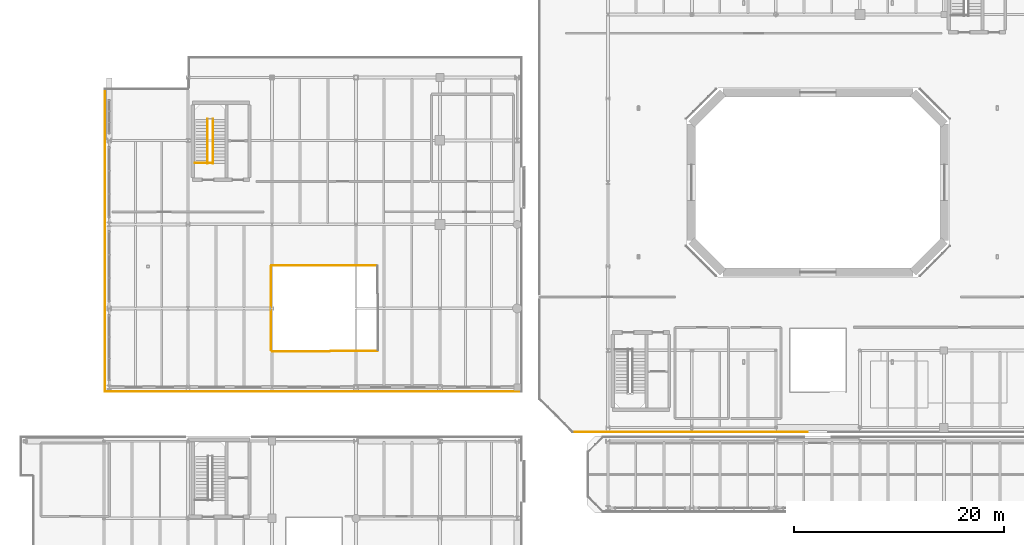
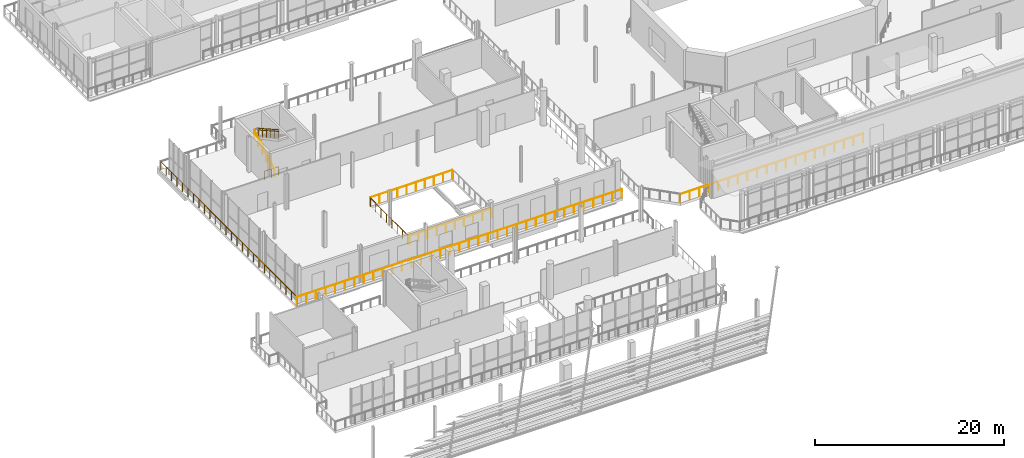
# One storey, part 81 of 93: 11 railings.
"""IFC4 building model written with IfcOpenShell, lengths in metres."""

from ifc_helpers import new_model, si_unit, direction, frame, origin, origin_2d, place, context, subcontext, project, spatial, circle, extrude, material, type_object, element, save


model = new_model("IFC4")

# Units and contexts
model_context = context("Model", 3, precision=1e-05, world=origin(), true_north=direction((0.0, 1.0)))
body_context = subcontext(model_context, "Body", "Model", "MODEL_VIEW")
ifc_project = project(units=[si_unit("LENGTHUNIT", "METRE"), si_unit("AREAUNIT", "SQUARE_METRE"), si_unit("VOLUMEUNIT", "CUBIC_METRE"), si_unit("PLANEANGLEUNIT", "RADIAN"), si_unit("MASSUNIT", "GRAM", prefix="KILO")], contexts=[model_context])

# Site, building, storey
site_placement = place(None, origin())
site = spatial("IfcSite", under=ifc_project, at=site_placement, CompositionType="ELEMENT")
building_placement = place(site_placement, origin())
building = spatial("IfcBuilding", under=site, at=building_placement, Name="Brisemont Oceanarium", CompositionType="ELEMENT")
storey_placement = place(building_placement, frame((0.0, 0.0, 5.39990234375)))
storey = spatial("IfcBuildingStorey", under=building, at=storey_placement, Name="L01", CompositionType="ELEMENT", Elevation=5.39990234375)

# Railings
ifc_material_1 = material(Name="Beaux-Arts Limestone Balustrade Precast Concrete C40/50", Category="masonry")
railing_type_1 = type_object("IfcRailingType", Name="RLG-BAL-1140", PredefinedType="BALUSTRADE", material=ifc_material_1)
railing_1_placement = place(storey_placement, frame((41.97998046875, 48.090087890625, 0.0)))
element("IfcRailing", 1, at=railing_1_placement, inside=storey, type_object=railing_type_1, Name="L01 slab perimeter safety guard 100", PredefinedType="BALUSTRADE", context=body_context, shape_type="SweptSolid", body=[
    extrude(circle(Radius=0.02392578125, at=origin_2d()), frame((0.0, 0.0, 1.11572265625), z_axis=(-0.999997490791, -0.002240181386, 0.0), x_axis=(0.002240181386, -0.999997490791, 0.0)), (0.0, 0.0, 1.0), 10.0263671875),
    extrude(circle(Radius=0.02099609375, at=origin_2d()), origin(), (0.0, 0.0, 1.0), 1.091796875),
    extrude(circle(Radius=0.02099609375, at=origin_2d()), frame((-1.114013671875, -0.00244140625, 0.0)), (0.0, 0.0, 1.0), 1.091796875),
    extrude(circle(Radius=0.02099609375, at=origin_2d()), frame((-2.22802734375, -0.0048828125, 0.0)), (0.0, 0.0, 1.0), 1.091796875),
    extrude(circle(Radius=0.02099609375, at=origin_2d()), frame((-3.342041015625, -0.007568359375, 0.0)), (0.0, 0.0, 1.0), 1.091796875),
    extrude(circle(Radius=0.02099609375, at=origin_2d()), frame((-4.4560546875, -0.010009765625, 0.0)), (0.0, 0.0, 1.0), 1.091796875),
    extrude(circle(Radius=0.02099609375, at=origin_2d()), frame((-5.5703125, -0.012451171875, 0.0)), (0.0, 0.0, 1.0), 1.091796875),
    extrude(circle(Radius=0.02099609375, at=origin_2d()), frame((-6.684326171875, -0.014892578125, 0.0)), (0.0, 0.0, 1.0), 1.091796875),
    extrude(circle(Radius=0.02099609375, at=origin_2d()), frame((-7.79833984375, -0.017578125, 0.0)), (0.0, 0.0, 1.0), 1.091796875),
    extrude(circle(Radius=0.02099609375, at=origin_2d()), frame((-8.912353515625, -0.02001953125, 0.0)), (0.0, 0.0, 1.0), 1.091796875),
    extrude(circle(Radius=0.02099609375, at=origin_2d()), frame((-10.0263671875, -0.0224609375, 0.0)), (0.0, 0.0, 1.0), 1.091796875),
])
ifc_material_2 = material(Name="Duplex Stainless Steel EN 1.4462", Category="steel")
railing_type_2 = type_object("IfcRailingType", Name="RLG-GUARD-1120", PredefinedType="GUARDRAIL", material=ifc_material_2)
railing_2_placement = place(storey_placement, frame((24.669921875, 57.860107421875, 0.0)))
element("IfcRailing", 2, at=railing_2_placement, inside=storey, type_object=railing_type_2, Name="ST-05 L01 landing edge guard", PredefinedType="GUARDRAIL", context=body_context, shape_type="SweptSolid", body=[
    extrude(circle(Radius=0.02392578125, at=origin_2d()), frame((0.0, 0.0, 1.09619140625), z_axis=(1.0, 0.0, 0.0), x_axis=(0.0, 1.0, 0.0)), (0.0, 0.0, 1.0), 1.719970703125),
    extrude(circle(Radius=0.02099609375, at=origin_2d()), origin(), (0.0, 0.0, 1.0), 1.072021484375),
    extrude(circle(Radius=0.02099609375, at=origin_2d()), frame((0.85986328125, 0.0, 0.0)), (0.0, 0.0, 1.0), 1.072021484375),
    extrude(circle(Radius=0.02099609375, at=origin_2d()), frame((1.719970703125, 0.0, 0.0)), (0.0, 0.0, 1.0), 1.072021484375),
])
railing_3_placement = place(storey_placement, frame((25.8701171875, 57.800048828125, 0.0)))
element("IfcRailing", 3, at=railing_3_placement, inside=storey, type_object=railing_type_2, Name="ST-05 L01 F1 well guard", PredefinedType="GUARDRAIL", context=body_context, shape_type="SweptSolid", body=[
    extrude(circle(Radius=0.02392578125, at=origin_2d()), frame((0.0, 0.0, 1.09619140625), z_axis=(0.0, 0.870740716755, 0.491742416499), x_axis=(-1.0, 0.0, 0.0)), (0.0, 0.0, 1.0), 4.880859375),
    extrude(circle(Radius=0.02099609375, at=origin_2d()), origin(), (0.0, 0.0, 1.0), 1.072021484375),
    extrude(circle(Radius=0.02099609375, at=origin_2d()), frame((0.0, 0.85009765625, 0.47998046875)), (0.0, 0.0, 1.0), 1.072021484375),
    extrude(circle(Radius=0.02099609375, at=origin_2d()), frame((0.0, 1.699951171875, 0.9599609375)), (0.0, 0.0, 1.0), 1.072021484375),
    extrude(circle(Radius=0.02099609375, at=origin_2d()), frame((0.0, 2.550048828125, 1.440185546875)), (0.0, 0.0, 1.0), 1.072021484375),
    extrude(circle(Radius=0.02099609375, at=origin_2d()), frame((0.0, 3.39990234375, 1.920166015625)), (0.0, 0.0, 1.0), 1.072021484375),
    extrude(circle(Radius=0.02099609375, at=origin_2d()), frame((0.0, 4.25, 2.400146484375)), (0.0, 0.0, 1.0), 1.072021484375),
])
railing_4_placement = place(storey_placement, frame((26.389892578125, 62.050048828125, 2.400146484375)))
element("IfcRailing", 4, at=railing_4_placement, inside=storey, type_object=railing_type_2, Name="ST-05 L01 F2 well guard", PredefinedType="GUARDRAIL", context=body_context, shape_type="SweptSolid", body=[
    extrude(circle(Radius=0.02392578125, at=origin_2d()), frame((0.0, 0.0, 1.09619140625), z_axis=(0.0, -0.870762133844, 0.491704490791), x_axis=(1.0, 0.0, 0.0)), (0.0, 0.0, 1.0), 4.880859375),
    extrude(circle(Radius=0.02099609375, at=origin_2d()), origin(), (0.0, 0.0, 1.0), 1.072021484375),
    extrude(circle(Radius=0.02099609375, at=origin_2d()), frame((0.0, -0.85009765625, 0.47998046875)), (0.0, 0.0, 1.0), 1.072021484375),
    extrude(circle(Radius=0.02099609375, at=origin_2d()), frame((0.0, -1.699951171875, 0.9599609375)), (0.0, 0.0, 1.0), 1.072021484375),
    extrude(circle(Radius=0.02099609375, at=origin_2d()), frame((0.0, -2.550048828125, 1.43994140625)), (0.0, 0.0, 1.0), 1.072021484375),
    extrude(circle(Radius=0.02099609375, at=origin_2d()), frame((0.0, -3.39990234375, 1.919921875)), (0.0, 0.0, 1.0), 1.072021484375),
    extrude(circle(Radius=0.02099609375, at=origin_2d()), frame((0.0, -4.25, 2.39990234375)), (0.0, 0.0, 1.0), 1.072021484375),
])
railing_5_placement = place(storey_placement, frame((82.990966796875, 32.239990234375, 0.0)))
element("IfcRailing", 5, at=railing_5_placement, inside=storey, type_object=railing_type_2, Name="L01 slab perimeter safety guard 51", PredefinedType="GUARDRAIL", context=body_context, shape_type="SweptSolid", body=[
    extrude(circle(Radius=0.02392578125, at=origin_2d()), frame((0.0, 0.0, 1.09619140625), z_axis=(-1.0, 0.0, 0.0), x_axis=(0.0, -1.0, 0.0)), (0.0, 0.0, 1.0), 22.353759765625),
    extrude(circle(Radius=0.02099609375, at=origin_2d()), origin(), (0.0, 0.0, 1.0), 1.072021484375),
    extrude(circle(Radius=0.02099609375, at=origin_2d()), frame((-1.176513671875, 0.0, 0.0)), (0.0, 0.0, 1.0), 1.072021484375),
    extrude(circle(Radius=0.02099609375, at=origin_2d()), frame((-2.35302734375, 0.0, 0.0)), (0.0, 0.0, 1.0), 1.072021484375),
    extrude(circle(Radius=0.02099609375, at=origin_2d()), frame((-3.529541015625, 0.0, 0.0)), (0.0, 0.0, 1.0), 1.072021484375),
    extrude(circle(Radius=0.02099609375, at=origin_2d()), frame((-4.7060546875, 0.0, 0.0)), (0.0, 0.0, 1.0), 1.072021484375),
    extrude(circle(Radius=0.02099609375, at=origin_2d()), frame((-5.882568359375, 0.0, 0.0)), (0.0, 0.0, 1.0), 1.072021484375),
    extrude(circle(Radius=0.02099609375, at=origin_2d()), frame((-7.05908203125, 0.0, 0.0)), (0.0, 0.0, 1.0), 1.072021484375),
    extrude(circle(Radius=0.02099609375, at=origin_2d()), frame((-8.235595703125, 0.0, 0.0)), (0.0, 0.0, 1.0), 1.072021484375),
    extrude(circle(Radius=0.02099609375, at=origin_2d()), frame((-9.412109375, 0.0, 0.0)), (0.0, 0.0, 1.0), 1.072021484375),
    extrude(circle(Radius=0.02099609375, at=origin_2d()), frame((-10.588623046875, 0.0, 0.0)), (0.0, 0.0, 1.0), 1.072021484375),
    extrude(circle(Radius=0.02099609375, at=origin_2d()), frame((-11.76513671875, 0.0, 0.0)), (0.0, 0.0, 1.0), 1.072021484375),
    extrude(circle(Radius=0.02099609375, at=origin_2d()), frame((-12.941650390625, 0.0, 0.0)), (0.0, 0.0, 1.0), 1.072021484375),
    extrude(circle(Radius=0.02099609375, at=origin_2d()), frame((-14.1181640625, 0.0, 0.0)), (0.0, 0.0, 1.0), 1.072021484375),
    extrude(circle(Radius=0.02099609375, at=origin_2d()), frame((-15.294677734375, 0.0, 0.0)), (0.0, 0.0, 1.0), 1.072021484375),
    extrude(circle(Radius=0.02099609375, at=origin_2d()), frame((-16.47119140625, 0.0, 0.0)), (0.0, 0.0, 1.0), 1.072021484375),
    extrude(circle(Radius=0.02099609375, at=origin_2d()), frame((-17.647705078125, 0.0, 0.0)), (0.0, 0.0, 1.0), 1.072021484375),
    extrude(circle(Radius=0.02099609375, at=origin_2d()), frame((-18.82421875, 0.0, 0.0)), (0.0, 0.0, 1.0), 1.072021484375),
    extrude(circle(Radius=0.02099609375, at=origin_2d()), frame((-20.000732421875, 0.0, 0.0)), (0.0, 0.0, 1.0), 1.072021484375),
    extrude(circle(Radius=0.02099609375, at=origin_2d()), frame((-21.17724609375, 0.0, 0.0)), (0.0, 0.0, 1.0), 1.072021484375),
    extrude(circle(Radius=0.02099609375, at=origin_2d()), frame((-22.353759765625, 0.0, 0.0)), (0.0, 0.0, 1.0), 1.072021484375),
])
railing_6_placement = place(storey_placement, frame((16.090087890625, 36.090087890625, 0.0)))
element("IfcRailing", 6, at=railing_6_placement, inside=storey, type_object=railing_type_2, Name="L01 slab perimeter safety guard 90", PredefinedType="GUARDRAIL", context=body_context, shape_type="SweptSolid", body=[
    extrude(circle(Radius=0.02392578125, at=origin_2d()), frame((0.0, 0.0, 1.09619140625), z_axis=(0.0, 1.0, 0.0), x_axis=(-1.0, 0.0, 0.0)), (0.0, 0.0, 1.0), 28.8193359375),
    extrude(circle(Radius=0.02099609375, at=origin_2d()), origin(), (0.0, 0.0, 1.0), 1.072021484375),
    extrude(circle(Radius=0.02099609375, at=origin_2d()), frame((0.0, 1.15283203125, 0.0)), (0.0, 0.0, 1.0), 1.072021484375),
    extrude(circle(Radius=0.02099609375, at=origin_2d()), frame((0.0, 2.3056640625, 0.0)), (0.0, 0.0, 1.0), 1.072021484375),
    extrude(circle(Radius=0.02099609375, at=origin_2d()), frame((0.0, 3.458251953125, 0.0)), (0.0, 0.0, 1.0), 1.072021484375),
    extrude(circle(Radius=0.02099609375, at=origin_2d()), frame((0.0, 4.611083984375, 0.0)), (0.0, 0.0, 1.0), 1.072021484375),
    extrude(circle(Radius=0.02099609375, at=origin_2d()), frame((0.0, 5.763916015625, 0.0)), (0.0, 0.0, 1.0), 1.072021484375),
    extrude(circle(Radius=0.02099609375, at=origin_2d()), frame((0.0, 6.916748046875, 0.0)), (0.0, 0.0, 1.0), 1.072021484375),
    extrude(circle(Radius=0.02099609375, at=origin_2d()), frame((0.0, 8.0693359375, 0.0)), (0.0, 0.0, 1.0), 1.072021484375),
    extrude(circle(Radius=0.02099609375, at=origin_2d()), frame((0.0, 9.22216796875, 0.0)), (0.0, 0.0, 1.0), 1.072021484375),
    extrude(circle(Radius=0.02099609375, at=origin_2d()), frame((0.0, 10.375, 0.0)), (0.0, 0.0, 1.0), 1.072021484375),
    extrude(circle(Radius=0.02099609375, at=origin_2d()), frame((0.0, 11.52783203125, 0.0)), (0.0, 0.0, 1.0), 1.072021484375),
    extrude(circle(Radius=0.02099609375, at=origin_2d()), frame((0.0, 12.680419921875, 0.0)), (0.0, 0.0, 1.0), 1.072021484375),
    extrude(circle(Radius=0.02099609375, at=origin_2d()), frame((0.0, 13.833251953125, 0.0)), (0.0, 0.0, 1.0), 1.072021484375),
    extrude(circle(Radius=0.02099609375, at=origin_2d()), frame((0.0, 14.986083984375, 0.0)), (0.0, 0.0, 1.0), 1.072021484375),
    extrude(circle(Radius=0.02099609375, at=origin_2d()), frame((0.0, 16.138916015625, 0.0)), (0.0, 0.0, 1.0), 1.072021484375),
    extrude(circle(Radius=0.02099609375, at=origin_2d()), frame((0.0, 17.29150390625, 0.0)), (0.0, 0.0, 1.0), 1.072021484375),
    extrude(circle(Radius=0.02099609375, at=origin_2d()), frame((0.0, 18.4443359375, 0.0)), (0.0, 0.0, 1.0), 1.072021484375),
    extrude(circle(Radius=0.02099609375, at=origin_2d()), frame((0.0, 19.59716796875, 0.0)), (0.0, 0.0, 1.0), 1.072021484375),
    extrude(circle(Radius=0.02099609375, at=origin_2d()), frame((0.0, 20.75, 0.0)), (0.0, 0.0, 1.0), 1.072021484375),
    extrude(circle(Radius=0.02099609375, at=origin_2d()), frame((0.0, 21.902587890625, 0.0)), (0.0, 0.0, 1.0), 1.072021484375),
    extrude(circle(Radius=0.02099609375, at=origin_2d()), frame((0.0, 23.055419921875, 0.0)), (0.0, 0.0, 1.0), 1.072021484375),
    extrude(circle(Radius=0.02099609375, at=origin_2d()), frame((0.0, 24.208251953125, 0.0)), (0.0, 0.0, 1.0), 1.072021484375),
    extrude(circle(Radius=0.02099609375, at=origin_2d()), frame((0.0, 25.361083984375, 0.0)), (0.0, 0.0, 1.0), 1.072021484375),
    extrude(circle(Radius=0.02099609375, at=origin_2d()), frame((0.0, 26.513671875, 0.0)), (0.0, 0.0, 1.0), 1.072021484375),
    extrude(circle(Radius=0.02099609375, at=origin_2d()), frame((0.0, 27.66650390625, 0.0)), (0.0, 0.0, 1.0), 1.072021484375),
    extrude(circle(Radius=0.02099609375, at=origin_2d()), frame((0.0, 28.8193359375, 0.0)), (0.0, 0.0, 1.0), 1.072021484375),
])
railing_7_placement = place(storey_placement, frame((55.760009765625, 36.090576171875, 0.0)))
element("IfcRailing", 7, at=railing_7_placement, inside=storey, type_object=railing_type_2, Name="L01 slab perimeter safety guard 97", PredefinedType="GUARDRAIL", context=body_context, shape_type="SweptSolid", body=[
    extrude(circle(Radius=0.02392578125, at=origin_2d()), frame((0.0, 0.0, 1.09619140625), z_axis=(-0.999999999924, -1.2308601e-05, 0.0), x_axis=(1.2308601e-05, -0.999999999924, 0.0)), (0.0, 0.0, 1.0), 39.669921875),
    extrude(circle(Radius=0.02099609375, at=origin_2d()), origin(), (0.0, 0.0, 1.0), 1.072021484375),
    extrude(circle(Radius=0.02099609375, at=origin_2d()), frame((-1.166748046875, 0.0, 0.0)), (0.0, 0.0, 1.0), 1.072021484375),
    extrude(circle(Radius=0.02099609375, at=origin_2d()), frame((-2.33349609375, 0.0, 0.0)), (0.0, 0.0, 1.0), 1.072021484375),
    extrude(circle(Radius=0.02099609375, at=origin_2d()), frame((-3.500244140625, 0.0, 0.0)), (0.0, 0.0, 1.0), 1.072021484375),
    extrude(circle(Radius=0.02099609375, at=origin_2d()), frame((-4.6669921875, 0.0, 0.0)), (0.0, 0.0, 1.0), 1.072021484375),
    extrude(circle(Radius=0.02099609375, at=origin_2d()), frame((-5.833740234375, 0.0, 0.0)), (0.0, 0.0, 1.0), 1.072021484375),
    extrude(circle(Radius=0.02099609375, at=origin_2d()), frame((-7.00048828125, 0.0, 0.0)), (0.0, 0.0, 1.0), 1.072021484375),
    extrude(circle(Radius=0.02099609375, at=origin_2d()), frame((-8.167236328125, 0.0, 0.0)), (0.0, 0.0, 1.0), 1.072021484375),
    extrude(circle(Radius=0.02099609375, at=origin_2d()), frame((-9.333984375, 0.0, 0.0)), (0.0, 0.0, 1.0), 1.072021484375),
    extrude(circle(Radius=0.02099609375, at=origin_2d()), frame((-10.5009765625, -0.000244140625, 0.0)), (0.0, 0.0, 1.0), 1.072021484375),
    extrude(circle(Radius=0.02099609375, at=origin_2d()), frame((-11.667724609375, -0.000244140625, 0.0)), (0.0, 0.0, 1.0), 1.072021484375),
    extrude(circle(Radius=0.02099609375, at=origin_2d()), frame((-12.83447265625, -0.000244140625, 0.0)), (0.0, 0.0, 1.0), 1.072021484375),
    extrude(circle(Radius=0.02099609375, at=origin_2d()), frame((-14.001220703125, -0.000244140625, 0.0)), (0.0, 0.0, 1.0), 1.072021484375),
    extrude(circle(Radius=0.02099609375, at=origin_2d()), frame((-15.16796875, -0.000244140625, 0.0)), (0.0, 0.0, 1.0), 1.072021484375),
    extrude(circle(Radius=0.02099609375, at=origin_2d()), frame((-16.334716796875, -0.000244140625, 0.0)), (0.0, 0.0, 1.0), 1.072021484375),
    extrude(circle(Radius=0.02099609375, at=origin_2d()), frame((-17.50146484375, -0.000244140625, 0.0)), (0.0, 0.0, 1.0), 1.072021484375),
    extrude(circle(Radius=0.02099609375, at=origin_2d()), frame((-18.668212890625, -0.000244140625, 0.0)), (0.0, 0.0, 1.0), 1.072021484375),
    extrude(circle(Radius=0.02099609375, at=origin_2d()), frame((-19.8349609375, -0.000244140625, 0.0)), (0.0, 0.0, 1.0), 1.072021484375),
    extrude(circle(Radius=0.02099609375, at=origin_2d()), frame((-21.001708984375, -0.000244140625, 0.0)), (0.0, 0.0, 1.0), 1.072021484375),
    extrude(circle(Radius=0.02099609375, at=origin_2d()), frame((-22.16845703125, -0.000244140625, 0.0)), (0.0, 0.0, 1.0), 1.072021484375),
    extrude(circle(Radius=0.02099609375, at=origin_2d()), frame((-23.335205078125, -0.000244140625, 0.0)), (0.0, 0.0, 1.0), 1.072021484375),
    extrude(circle(Radius=0.02099609375, at=origin_2d()), frame((-24.501953125, -0.000244140625, 0.0)), (0.0, 0.0, 1.0), 1.072021484375),
    extrude(circle(Radius=0.02099609375, at=origin_2d()), frame((-25.668701171875, -0.000244140625, 0.0)), (0.0, 0.0, 1.0), 1.072021484375),
    extrude(circle(Radius=0.02099609375, at=origin_2d()), frame((-26.83544921875, -0.000244140625, 0.0)), (0.0, 0.0, 1.0), 1.072021484375),
    extrude(circle(Radius=0.02099609375, at=origin_2d()), frame((-28.002197265625, -0.000244140625, 0.0)), (0.0, 0.0, 1.0), 1.072021484375),
    extrude(circle(Radius=0.02099609375, at=origin_2d()), frame((-29.1689453125, -0.000244140625, 0.0)), (0.0, 0.0, 1.0), 1.072021484375),
    extrude(circle(Radius=0.02099609375, at=origin_2d()), frame((-30.3359375, -0.00048828125, 0.0)), (0.0, 0.0, 1.0), 1.072021484375),
    extrude(circle(Radius=0.02099609375, at=origin_2d()), frame((-31.502685546875, -0.00048828125, 0.0)), (0.0, 0.0, 1.0), 1.072021484375),
    extrude(circle(Radius=0.02099609375, at=origin_2d()), frame((-32.66943359375, -0.00048828125, 0.0)), (0.0, 0.0, 1.0), 1.072021484375),
    extrude(circle(Radius=0.02099609375, at=origin_2d()), frame((-33.836181640625, -0.00048828125, 0.0)), (0.0, 0.0, 1.0), 1.072021484375),
    extrude(circle(Radius=0.02099609375, at=origin_2d()), frame((-35.0029296875, -0.00048828125, 0.0)), (0.0, 0.0, 1.0), 1.072021484375),
    extrude(circle(Radius=0.02099609375, at=origin_2d()), frame((-36.169677734375, -0.00048828125, 0.0)), (0.0, 0.0, 1.0), 1.072021484375),
    extrude(circle(Radius=0.02099609375, at=origin_2d()), frame((-37.33642578125, -0.00048828125, 0.0)), (0.0, 0.0, 1.0), 1.072021484375),
    extrude(circle(Radius=0.02099609375, at=origin_2d()), frame((-38.503173828125, -0.00048828125, 0.0)), (0.0, 0.0, 1.0), 1.072021484375),
    extrude(circle(Radius=0.02099609375, at=origin_2d()), frame((-39.669921875, -0.00048828125, 0.0)), (0.0, 0.0, 1.0), 1.072021484375),
])
railing_8_placement = place(storey_placement, frame((32.02001953125, 39.909912109375, 0.0)))
element("IfcRailing", 8, at=railing_8_placement, inside=storey, type_object=railing_type_2, Name="L01 slab perimeter safety guard 98", PredefinedType="GUARDRAIL", context=body_context, shape_type="SweptSolid", body=[
    extrude(circle(Radius=0.02392578125, at=origin_2d()), frame((0.0, 0.0, 1.09619140625), z_axis=(0.999997490791, 0.002240181386, 0.0), x_axis=(-0.002240181386, 0.999997490791, 0.0)), (0.0, 0.0, 1.0), 10.0263671875),
    extrude(circle(Radius=0.02099609375, at=origin_2d()), origin(), (0.0, 0.0, 1.0), 1.072021484375),
    extrude(circle(Radius=0.02099609375, at=origin_2d()), frame((1.114013671875, 0.00244140625, 0.0)), (0.0, 0.0, 1.0), 1.072021484375),
    extrude(circle(Radius=0.02099609375, at=origin_2d()), frame((2.22802734375, 0.0048828125, 0.0)), (0.0, 0.0, 1.0), 1.072021484375),
    extrude(circle(Radius=0.02099609375, at=origin_2d()), frame((3.342041015625, 0.007568359375, 0.0)), (0.0, 0.0, 1.0), 1.072021484375),
    extrude(circle(Radius=0.02099609375, at=origin_2d()), frame((4.4560546875, 0.010009765625, 0.0)), (0.0, 0.0, 1.0), 1.072021484375),
    extrude(circle(Radius=0.02099609375, at=origin_2d()), frame((5.5703125, 0.012451171875, 0.0)), (0.0, 0.0, 1.0), 1.072021484375),
    extrude(circle(Radius=0.02099609375, at=origin_2d()), frame((6.684326171875, 0.014892578125, 0.0)), (0.0, 0.0, 1.0), 1.072021484375),
    extrude(circle(Radius=0.02099609375, at=origin_2d()), frame((7.79833984375, 0.017578125, 0.0)), (0.0, 0.0, 1.0), 1.072021484375),
    extrude(circle(Radius=0.02099609375, at=origin_2d()), frame((8.912353515625, 0.02001953125, 0.0)), (0.0, 0.0, 1.0), 1.072021484375),
    extrude(circle(Radius=0.02099609375, at=origin_2d()), frame((10.0263671875, 0.0224609375, 0.0)), (0.0, 0.0, 1.0), 1.072021484375),
])
railing_9_placement = place(storey_placement, frame((31.909912109375, 47.97998046875, 0.0)))
element("IfcRailing", 9, at=railing_9_placement, inside=storey, type_object=railing_type_2, Name="L01 slab perimeter safety guard 101", PredefinedType="GUARDRAIL", context=body_context, shape_type="SweptSolid", body=[
    extrude(circle(Radius=0.02392578125, at=origin_2d()), frame((0.0, 0.0, 1.09619140625), z_axis=(0.0, -1.0, 0.0), x_axis=(1.0, 0.0, 0.0)), (0.0, 0.0, 1.0), 7.9599609375),
    extrude(circle(Radius=0.02099609375, at=origin_2d()), origin(), (0.0, 0.0, 1.0), 1.072021484375),
    extrude(circle(Radius=0.02099609375, at=origin_2d()), frame((0.0, -1.13720703125, 0.0)), (0.0, 0.0, 1.0), 1.072021484375),
    extrude(circle(Radius=0.02099609375, at=origin_2d()), frame((0.0, -2.274169921875, 0.0)), (0.0, 0.0, 1.0), 1.072021484375),
    extrude(circle(Radius=0.02099609375, at=origin_2d()), frame((0.0, -3.411376953125, 0.0)), (0.0, 0.0, 1.0), 1.072021484375),
    extrude(circle(Radius=0.02099609375, at=origin_2d()), frame((0.0, -4.548583984375, 0.0)), (0.0, 0.0, 1.0), 1.072021484375),
    extrude(circle(Radius=0.02099609375, at=origin_2d()), frame((0.0, -5.685791015625, 0.0)), (0.0, 0.0, 1.0), 1.072021484375),
    extrude(circle(Radius=0.02099609375, at=origin_2d()), frame((0.0, -6.82275390625, 0.0)), (0.0, 0.0, 1.0), 1.072021484375),
    extrude(circle(Radius=0.02099609375, at=origin_2d()), frame((0.0, -7.9599609375, 0.0)), (0.0, 0.0, 1.0), 1.072021484375),
])
ifc_material_3 = material(Name="Duplex Stainless Steel EN 1.4462", Category="steel")
railing_type_3 = type_object("IfcRailingType", Name="RLG-HAND-900", PredefinedType="HANDRAIL", material=ifc_material_3)
railing_10_placement = place(storey_placement, frame((25.8701171875, 57.800048828125, 0.0)))
element("IfcRailing", 10, at=railing_10_placement, inside=storey, type_object=railing_type_3, Name="ST-05 L01 F1 handrail", PredefinedType="HANDRAIL", context=body_context, shape_type="SweptSolid", body=[
    extrude(circle(Radius=0.02392578125, at=origin_2d()), frame((0.0, 0.0, 0.8759765625), z_axis=(0.0, 0.870740716755, 0.491742416499), x_axis=(-1.0, 0.0, 0.0)), (0.0, 0.0, 1.0), 4.880859375),
    extrude(circle(Radius=0.02099609375, at=origin_2d()), origin(), (0.0, 0.0, 1.0), 0.851806640625),
    extrude(circle(Radius=0.02099609375, at=origin_2d()), frame((0.0, 0.85009765625, 0.47998046875)), (0.0, 0.0, 1.0), 0.851806640625),
    extrude(circle(Radius=0.02099609375, at=origin_2d()), frame((0.0, 1.699951171875, 0.9599609375)), (0.0, 0.0, 1.0), 0.851806640625),
    extrude(circle(Radius=0.02099609375, at=origin_2d()), frame((0.0, 2.550048828125, 1.440185546875)), (0.0, 0.0, 1.0), 0.851806640625),
    extrude(circle(Radius=0.02099609375, at=origin_2d()), frame((0.0, 3.39990234375, 1.920166015625)), (0.0, 0.0, 1.0), 0.851806640625),
    extrude(circle(Radius=0.02099609375, at=origin_2d()), frame((0.0, 4.25, 2.400146484375)), (0.0, 0.0, 1.0), 0.851806640625),
])
railing_11_placement = place(storey_placement, frame((26.389892578125, 62.050048828125, 2.400146484375)))
element("IfcRailing", 11, at=railing_11_placement, inside=storey, type_object=railing_type_3, Name="ST-05 L01 F2 handrail", PredefinedType="HANDRAIL", context=body_context, shape_type="SweptSolid", body=[
    extrude(circle(Radius=0.02392578125, at=origin_2d()), frame((0.0, 0.0, 0.8759765625), z_axis=(0.0, -0.870762133844, 0.491704490791), x_axis=(1.0, 0.0, 0.0)), (0.0, 0.0, 1.0), 4.880859375),
    extrude(circle(Radius=0.02099609375, at=origin_2d()), origin(), (0.0, 0.0, 1.0), 0.851806640625),
    extrude(circle(Radius=0.02099609375, at=origin_2d()), frame((0.0, -0.85009765625, 0.47998046875)), (0.0, 0.0, 1.0), 0.851806640625),
    extrude(circle(Radius=0.02099609375, at=origin_2d()), frame((0.0, -1.699951171875, 0.9599609375)), (0.0, 0.0, 1.0), 0.851806640625),
    extrude(circle(Radius=0.02099609375, at=origin_2d()), frame((0.0, -2.550048828125, 1.43994140625)), (0.0, 0.0, 1.0), 0.851806640625),
    extrude(circle(Radius=0.02099609375, at=origin_2d()), frame((0.0, -3.39990234375, 1.919921875)), (0.0, 0.0, 1.0), 0.851806640625),
    extrude(circle(Radius=0.02099609375, at=origin_2d()), frame((0.0, -4.25, 2.39990234375)), (0.0, 0.0, 1.0), 0.851806640625),
])

save(model, "model.ifc")
